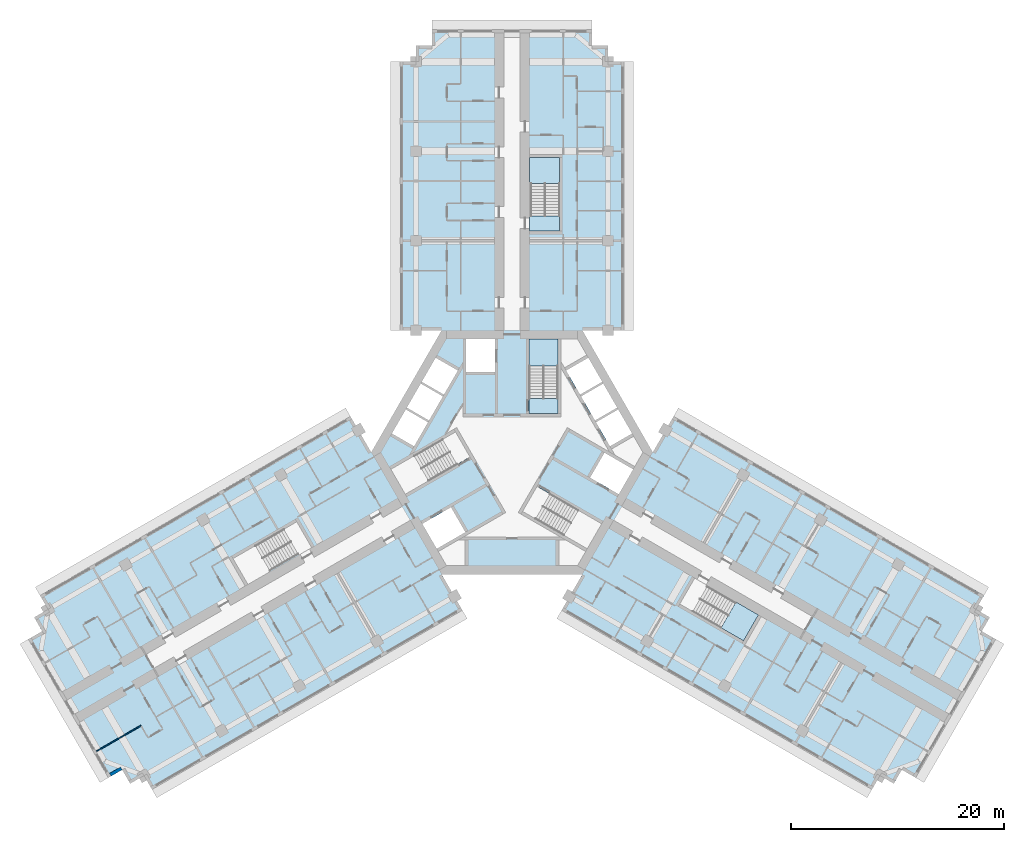
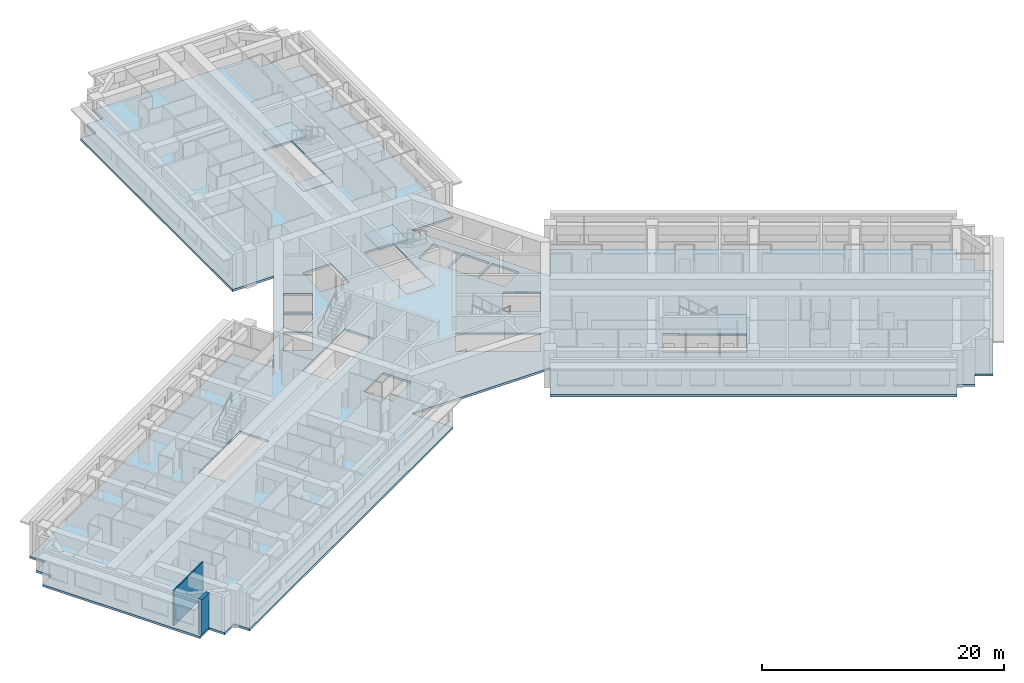
# One storey, part 2 of 15: 6 slabs, 2 walls, 3 elements without a shape of their own.
"""IFC4 building model written with IfcOpenShell, lengths in metres."""

from ifc_helpers import new_model, si_unit, direction, frame, frame_2d, origin, place, context, subcontext, project, spatial, polyline, rectangle, outline, extrude, material, layer, layer_set, type_object, element, aggregate, save


model = new_model("IFC4")

# Units and contexts
model_context = context("Model", 3, precision=1e-05, world=origin(), true_north=direction((0.0, 1.0)))
body_context = subcontext(model_context, "Body", "Model", "MODEL_VIEW")
ifc_project = project(units=[si_unit("LENGTHUNIT", "METRE"), si_unit("AREAUNIT", "SQUARE_METRE"), si_unit("VOLUMEUNIT", "CUBIC_METRE"), si_unit("PLANEANGLEUNIT", "RADIAN"), si_unit("MASSUNIT", "GRAM", prefix="KILO")], contexts=[model_context])

# Site, building, storey
site_placement = place(None, origin())
site = spatial("IfcSite", under=ifc_project, at=site_placement, CompositionType="ELEMENT")
building_placement = place(site_placement, origin())
building = spatial("IfcBuilding", under=site, at=building_placement, Name="Impinga Residences", CompositionType="ELEMENT")
storey_placement = place(building_placement, frame((0.0, 0.0, 113.5)))
storey = spatial("IfcBuildingStorey", under=building, at=storey_placement, Name="L27", CompositionType="ELEMENT", Elevation=113.5)

# Slab
ifc_material_1 = material(Name="Concrete C60/75", Category="concrete")
ifc_layer_1 = layer(ifc_material_1, 0.219970703125)
ifc_layer_set_1 = layer_set([ifc_layer_1], Name="Concrete C60/75")
slab_type_1 = type_object("IfcSlabType", Name="FS1 tower floor slab 220", PredefinedType="FLOOR", material=ifc_layer_set_1)
slab_1_placement = place(storey_placement, frame((0.0, 0.0, -0.219970703125)))
element("IfcSlab", 1, at=slab_1_placement, inside=storey, type_object=slab_type_1, Name="Floor slab FS1 L27", PredefinedType="FLOOR", context=body_context, shape_type="SweptSolid", body=[
    extrude(outline(polyline([(-34.49853515625, -30.31005859375), (-35.797607421875, -31.06005859375), (-36.547607421875, -29.760986328125), (-37.846435546875, -30.510986328125), (-45.346435546875, -17.5205078125), (-44.047607421875, -16.7705078125), (-44.797607421875, -15.471435546875), (-43.49853515625, -14.721435546875), (-44.24853515625, -13.422607421875), (-15.14990234375, 3.37744140625), (-13.199951171875, 0.0), (-6.60009765625, 11.431640625), (-10.5, 11.431640625), (-10.5, 36.631591796875), (-9.0, 36.631591796875), (-9.0, 38.131591796875), (-7.5, 38.131591796875), (-7.5, 39.631591796875), (7.5, 39.631591796875), (7.5, 38.131591796875), (9.0, 38.131591796875), (9.0, 36.631591796875), (10.5, 36.631591796875), (10.5, 11.431640625), (6.60009765625, 11.431640625), (13.199951171875, 0.0), (15.14990234375, 3.37744140625), (44.24853515625, -13.422607421875), (43.49853515625, -14.721435546875), (44.797607421875, -15.471435546875), (44.047607421875, -16.7705078125), (45.346435546875, -17.5205078125), (37.846435546875, -30.510986328125), (36.547607421875, -29.760986328125), (35.797607421875, -31.06005859375), (34.49853515625, -30.31005859375), (33.74853515625, -31.609130859375), (4.64990234375, -14.80908203125), (9.900146484375, -5.7158203125), (6.60009765625, -11.431640625), (-6.60009765625, -11.431640625), (-9.900146484375, -5.7158203125), (-4.64990234375, -14.80908203125), (-33.74853515625, -31.609130859375), (-34.49853515625, -30.31005859375)]), holes=[polyline([(-18.779052734375, -8.936767578125), (-18.8291015625, -8.850341796875), (-18.8291015625, -8.850341796875), (-20.178955078125, -6.511962890625), (-21.391357421875, -7.2119140625), (-21.391357421875, -7.2119140625), (-26.154541015625, -9.9619140625), (-24.8046875, -12.30029296875), (-20.04150390625, -9.55029296875), (-19.991455078125, -9.63671875), (-18.779052734375, -8.936767578125)]), polyline([(-4.37109375, -7.489013671875), (-5.72119140625, -5.150634765625), (-8.4072265625, -6.701416015625), (-7.05712890625, -9.039794921875), (-4.37109375, -7.489013671875)]), polyline([(-3.943603515625, -0.429443359375), (-5.293701171875, 1.908935546875), (-11.357177734375, -1.591796875), (-10.007080078125, -3.93017578125), (-3.943603515625, -0.429443359375)]), polyline([(-7.878662109375, 2.816650390625), (-9.957275390625, 4.016845703125), (-11.257080078125, 1.76513671875), (-9.1787109375, 0.56494140625), (-7.878662109375, 2.816650390625)]), polyline([(-6.478759765625, 5.24169921875), (-8.55712890625, 6.441650390625), (-9.857177734375, 4.18994140625), (-7.77880859375, 2.989990234375), (-6.478759765625, 5.24169921875)]), polyline([(4.300048828125, 3.6298828125), (4.300048828125, 10.631591796875), (1.60009765625, 10.631591796875), (1.60009765625, 3.6298828125), (4.300048828125, 3.6298828125)]), polyline([(-6.378662109375, 5.414794921875), (-5.07861328125, 7.66650390625), (-7.1572265625, 8.866455078125), (-8.457275390625, 6.61474609375), (-6.378662109375, 5.414794921875)]), polyline([(-4.300048828125, 7.530029296875), (-1.60009765625, 7.530029296875), (-1.60009765625, 10.631591796875), (-4.300048828125, 10.631591796875), (-4.300048828125, 7.530029296875)]), polyline([(4.449951171875, 20.7314453125), (4.449951171875, 22.131591796875), (4.449951171875, 27.631591796875), (1.75, 27.631591796875), (1.75, 22.131591796875), (1.64990234375, 22.131591796875), (1.64990234375, 20.7314453125), (1.75, 20.7314453125), (4.449951171875, 20.7314453125)]), polyline([(15.72900390625, -14.219482421875), (21.70458984375, -17.669677734375), (23.0546875, -15.331298828125), (18.29150390625, -12.581298828125), (18.341552734375, -12.49462890625), (17.129150390625, -11.794677734375), (15.72900390625, -14.219482421875)]), polyline([(2.34375, -3.20068359375), (0.99365234375, -5.538818359375), (7.05712890625, -9.039794921875), (8.4072265625, -6.701416015625), (2.34375, -3.20068359375)]), polyline([(7.3212890625, -2.37939453125), (10.007080078125, -3.93017578125), (11.357177734375, -1.591796875), (8.671142578125, -0.041015625), (7.3212890625, -2.37939453125)]), polyline([(7.878662109375, 2.816650390625), (9.1787109375, 0.56494140625), (11.257080078125, 1.76513671875), (9.957275390625, 4.016845703125), (7.878662109375, 2.816650390625)]), polyline([(6.478759765625, 5.24169921875), (7.77880859375, 2.989990234375), (9.857177734375, 4.18994140625), (8.55712890625, 6.441650390625), (6.478759765625, 5.24169921875)]), polyline([(6.378662109375, 5.414794921875), (8.457275390625, 6.61474609375), (7.1572265625, 8.866455078125), (5.07861328125, 7.66650390625), (6.378662109375, 5.414794921875)])]), origin(), (0.0, 0.0, 1.0), 0.219970703125),
])

# Stair, slabs
ifc_material_2 = material(Name="Concrete C40/50", Category="concrete")
stair_type_1 = type_object("IfcStairType", Name="STR core stair 3750 storey, 24 risers", PredefinedType="HALF_TURN_STAIR", material=ifc_material_2)
stair_1_placement = place(storey_placement, origin())
stair_1 = element("IfcStair", 2, at=stair_1_placement, inside=storey, type_object=stair_type_1, Name="Stair ST1 L27", PredefinedType="HALF_TURN_STAIR")
ifc_layer_2 = layer(ifc_material_2, 0.199951171875)
ifc_layer_set_2 = layer_set([ifc_layer_2], Name="Concrete C40/50")
slab_type_2 = type_object("IfcSlabType", Name="LS1 stair landing 200", PredefinedType="LANDING", material=ifc_layer_set_2)
slab_2_placement = place(storey_placement, frame((0.0, 0.0, -0.199951171875)))
slab_2 = element("IfcSlab", 3, at=slab_2_placement, type_object=slab_type_2, Name="ST1 landing 1", PredefinedType="LANDING", context=body_context, shape_type="SweptSolid", body=[
    extrude(outline(polyline([(1.60009765625, 3.6298828125), (4.300048828125, 3.6298828125), (4.300048828125, 5.0400390625), (1.60009765625, 5.0400390625), (1.60009765625, 3.6298828125)])), origin(), (0.0, 0.0, 1.0), 0.199951171875),
])
slab_3_placement = place(storey_placement, frame((0.0, 0.0, 1.675048828125)))
slab_3 = element("IfcSlab", 4, at=slab_3_placement, type_object=slab_type_2, Name="ST1 landing 2", PredefinedType="LANDING", context=body_context, shape_type="SweptSolid", body=[
    extrude(outline(polyline([(1.60009765625, 8.10009765625), (4.300048828125, 8.10009765625), (4.300048828125, 10.631591796875), (1.60009765625, 10.631591796875), (1.60009765625, 8.10009765625)])), origin(), (0.0, 0.0, 1.0), 0.199951171875),
])
aggregate(stair_1, [slab_2, slab_3])

stair_type_2 = type_object("IfcStairType", Name="STR wing stair 3750 storey, 24 risers", PredefinedType="HALF_TURN_STAIR", material=ifc_material_2)
stair_2_placement = place(storey_placement, origin())
stair_2 = element("IfcStair", 5, at=stair_2_placement, inside=storey, type_object=stair_type_2, Name="Stair WS1 L27", PredefinedType="HALF_TURN_STAIR")
slab_4_placement = place(storey_placement, frame((0.0, 0.0, -0.199951171875)))
slab_4 = element("IfcSlab", 6, at=slab_4_placement, type_object=slab_type_2, Name="WS1 landing 1", PredefinedType="LANDING", context=body_context, shape_type="SweptSolid", body=[
    extrude(outline(polyline([(1.64990234375, 20.7314453125), (4.449951171875, 20.7314453125), (4.449951171875, 22.1416015625), (1.64990234375, 22.1416015625), (1.64990234375, 20.7314453125)])), origin(), (0.0, 0.0, 1.0), 0.199951171875),
])
slab_5_placement = place(storey_placement, frame((0.0, 0.0, 1.675048828125)))
slab_5 = element("IfcSlab", 7, at=slab_5_placement, type_object=slab_type_2, Name="WS1 landing 2", PredefinedType="LANDING", context=body_context, shape_type="SweptSolid", body=[
    extrude(outline(polyline([(1.64990234375, 25.201416015625), (4.449951171875, 25.201416015625), (4.449951171875, 27.631591796875), (1.64990234375, 27.631591796875), (1.64990234375, 25.201416015625)])), origin(), (0.0, 0.0, 1.0), 0.199951171875),
])
aggregate(stair_2, [slab_4, slab_5])

# Stair, slab
stair_3_placement = place(storey_placement, origin())
stair_3 = element("IfcStair", 8, at=stair_3_placement, inside=storey, type_object=stair_type_2, Name="Stair WS3 L27", PredefinedType="HALF_TURN_STAIR")
slab_6_placement = place(storey_placement, frame((0.0, 0.0, 1.675048828125)))
slab_6 = element("IfcSlab", 9, at=slab_6_placement, type_object=slab_type_2, Name="WS3 landing 2", PredefinedType="LANDING", context=body_context, shape_type="SweptSolid", body=[
    extrude(outline(polyline([(21.000244140625, -14.02978515625), (19.60009765625, -16.45458984375), (21.70458984375, -17.669677734375), (23.1044921875, -15.24462890625), (21.000244140625, -14.02978515625)])), origin(), (0.0, 0.0, 1.0), 0.199951171875),
])
aggregate(stair_3, [slab_6])

# Walls
ifc_material_3 = material(Name="Terracotta rainscreen on blockwork", Category="masonry")
ifc_layer_3 = layer(ifc_material_3, 0.300048828125)
ifc_layer_set_3 = layer_set([ifc_layer_3], Name="EW1 external wall, terracotta rainscreen on blockwork 300")
wall_type_1 = type_object("IfcWallType", Name="EW1 external wall, terracotta rainscreen on blockwork 300", PredefinedType="SOLIDWALL", material=ifc_layer_set_3)
wall_1_placement = place(storey_placement, frame((-36.626708984375, -29.633544921875, 0.0), z_axis=(0.0, 0.0, 1.0), x_axis=(-0.866059708757, -0.499940577336, 0.0)))
element("IfcWall", 10, at=wall_1_placement, inside=storey, type_object=wall_type_1, Name="External wall EW1 L27", PredefinedType="SOLIDWALL", context=body_context, shape_type="SweptSolid", body=[
    extrude(rectangle(XDim=1.195068359375, YDim=0.300048828125, at=frame_2d((0.59765625, 0.0))), origin(), (0.0, 0.0, 1.0), 3.530029296875),
])
ifc_material_4 = material(Name="Gypsum board on steel studs", Category="steel")
ifc_layer_4 = layer(ifc_material_4, 0.10009765625)
ifc_layer_set_4 = layer_set([ifc_layer_4], Name="Gypsum board on steel studs")
wall_type_2 = type_object("IfcWallType", Name="IP1 partition 100", PredefinedType="PARTITIONING", material=ifc_layer_set_4)
wall_2_placement = place(storey_placement, frame((-34.77978515625, -25.622802734375, 0.0), z_axis=(0.0, 0.0, 1.0), x_axis=(-0.866037363387, -0.499979284789, 0.0)))
element("IfcWall", 11, at=wall_2_placement, inside=storey, type_object=wall_type_2, Name="Partition L27-WA5:DIV1", PredefinedType="PARTITIONING", context=body_context, shape_type="SweptSolid", body=[
    extrude(rectangle(XDim=4.800048828125, YDim=0.10009765625, at=frame_2d((2.39990234375, 0.0))), origin(), (0.0, 0.0, 1.0), 3.530029296875),
])

save(model, "model.ifc")
